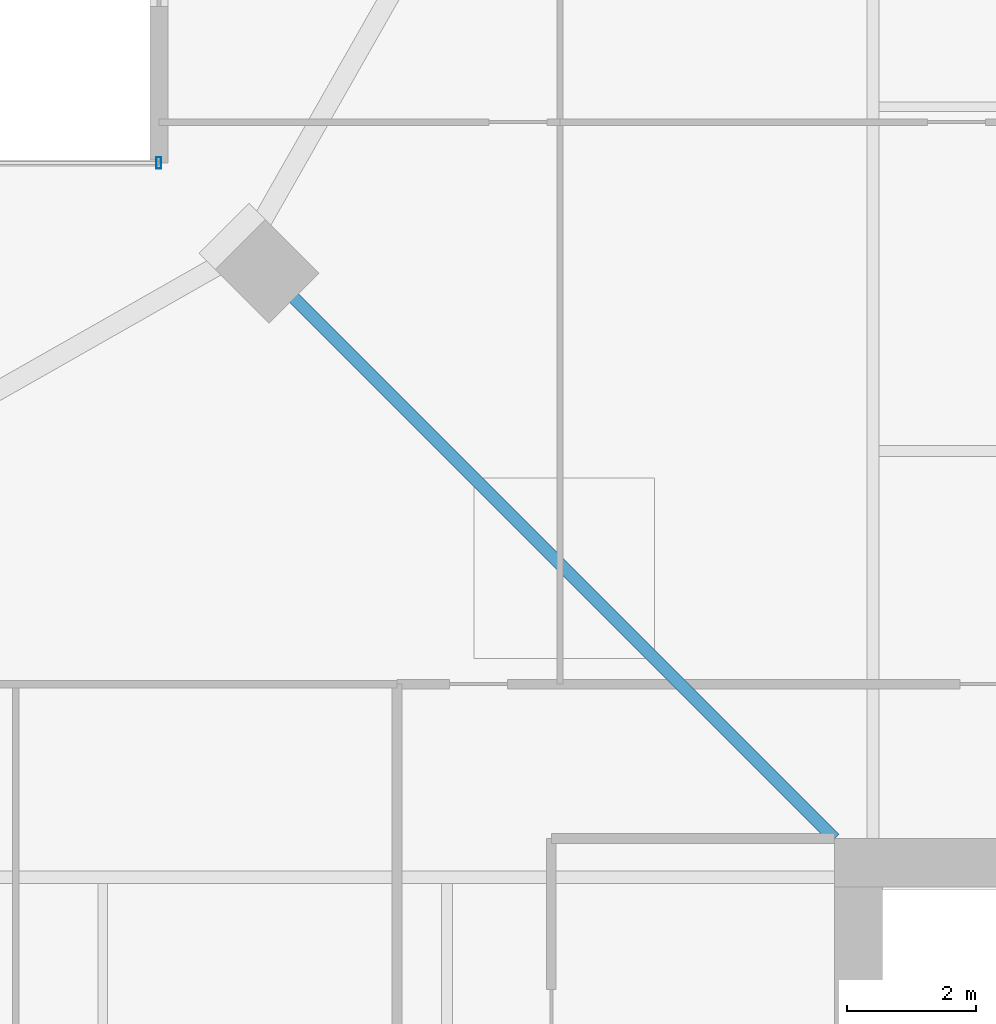
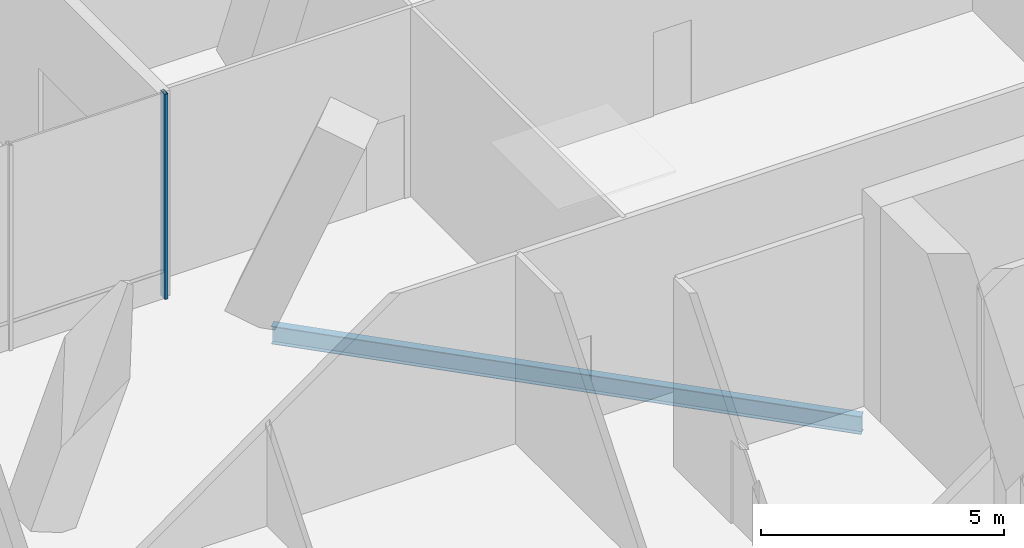
# One storey, part 20 of 33: 1 beam, 1 member, 1 element without a shape of its own.
"""IFC4 building model written with IfcOpenShell, lengths in metres."""

from ifc_helpers import new_model, si_unit, direction, frame, origin, origin_2d, place, context, subcontext, project, spatial, hollow_rectangle, i_section, extrude, material, layer, layer_set, material_profile, profile_set, type_object, element, aggregate, save


model = new_model("IFC4")

# Units and contexts
model_context = context("Model", 3, precision=1e-05, world=origin(), true_north=direction((0.0, 1.0)))
body_context = subcontext(model_context, "Body", "Model", "MODEL_VIEW")
ifc_project = project(units=[si_unit("LENGTHUNIT", "METRE"), si_unit("AREAUNIT", "SQUARE_METRE"), si_unit("VOLUMEUNIT", "CUBIC_METRE"), si_unit("PLANEANGLEUNIT", "RADIAN"), si_unit("MASSUNIT", "GRAM", prefix="KILO")], contexts=[model_context])

# Site, building, storey
site_placement = place(None, origin())
site = spatial("IfcSite", under=ifc_project, at=site_placement, CompositionType="ELEMENT")
building_placement = place(site_placement, origin())
building = spatial("IfcBuilding", under=site, at=building_placement, Name="Belovzor Exchange Tower", CompositionType="ELEMENT")
storey_placement = place(building_placement, frame((0.0, 0.0, 241.199951171875)))
storey = spatial("IfcBuildingStorey", under=building, at=storey_placement, Name="L60", CompositionType="ELEMENT", Elevation=241.199951171875)

# Curtain wall, member
ifc_material_1 = material(Name="Anodised Aluminium Framing", Category="aluminium")
ifc_layer = layer(ifc_material_1, 0.195068359375)
ifc_layer_set = layer_set([ifc_layer], Name="Anodised Aluminium Framing")
curtain_wall_type = type_object("IfcCurtainWallType", Name="Notched Re-Entrant Corner Unitised Curtain Wall", PredefinedType="NOTDEFINED", material=ifc_layer_set)
curtain_wall_placement = place(storey_placement, origin())
curtain_wall = element("IfcCurtainWall", 1, at=curtain_wall_placement, inside=storey, type_object=curtain_wall_type, Name="CW5 Notched Re-Entrant Corner Unitised Curtain Wall L60", PredefinedType="NOTDEFINED")
ifc_material_2 = material(Name="Steel S355", Category="steel")
ifc_material_profile_1 = material_profile(ifc_material_2, hollow_rectangle(XDim=0.074951171875, YDim=0.179931640625, WallThickness=0.0048828125, at=origin_2d()))
ifc_profile_set_1 = profile_set([ifc_material_profile_1], Name="Steel S355")
member_type = type_object("IfcMemberType", Name="Thermally Broken Curtain Wall Mullion 180x75", PredefinedType="MULLION", material=ifc_profile_set_1)
member_placement = place(storey_placement, frame((9.300048828125, 48.300048828125, 0.0), z_axis=(0.0, 0.0, 1.0), x_axis=(1.0, 0.0, 0.0)))
member = element("IfcMember", 2, at=member_placement, type_object=member_type, Name="CW-M180 Curtain Wall Mullion 3", PredefinedType="MULLION", context=body_context, shape_type="SweptSolid", body=[
    extrude(hollow_rectangle(XDim=0.074951171875, YDim=0.179931640625, WallThickness=0.0048828125, at=origin_2d()), origin(), (0.0, 0.0, 1.0), 5.150146484375),
])
aggregate(curtain_wall, [member])

# Beam
ifc_material_3 = material(Name="Steel S355", Category="steel")
ifc_material_profile_2 = material_profile(ifc_material_3, i_section(OverallWidth=0.18994140625, OverallDepth=0.449951171875, WebThickness=0.009521484375, FlangeThickness=0.0146484375, at=origin_2d()))
ifc_profile_set_2 = profile_set([ifc_material_profile_2], Name="Steel S355")
beam_type = type_object("IfcBeamType", Name="Zone 2-4 Radial Composite Floor Beam IPE 450", PredefinedType="BEAM", material=ifc_profile_set_2)
beam_placement = place(storey_placement, frame((19.800048828125, 37.800048828125, -0.474853515625), z_axis=(-0.707106781187, 0.707106781187, 0.0), x_axis=(-0.707106781187, -0.707106781187, 0.0)))
element("IfcBeam", 3, at=beam_placement, inside=storey, type_object=beam_type, Name="FB-450 Zone 2-4 Radial Composite Floor Beam IPE 450", PredefinedType="BEAM", context=body_context, shape_type="SweptSolid", body=[
    extrude(i_section(OverallWidth=0.18994140625, OverallDepth=0.449951171875, WebThickness=0.009521484375, FlangeThickness=0.0146484375, at=origin_2d()), origin(), (0.0, 0.0, 1.0), 12.551025390625),
])

save(model, "model.ifc")
